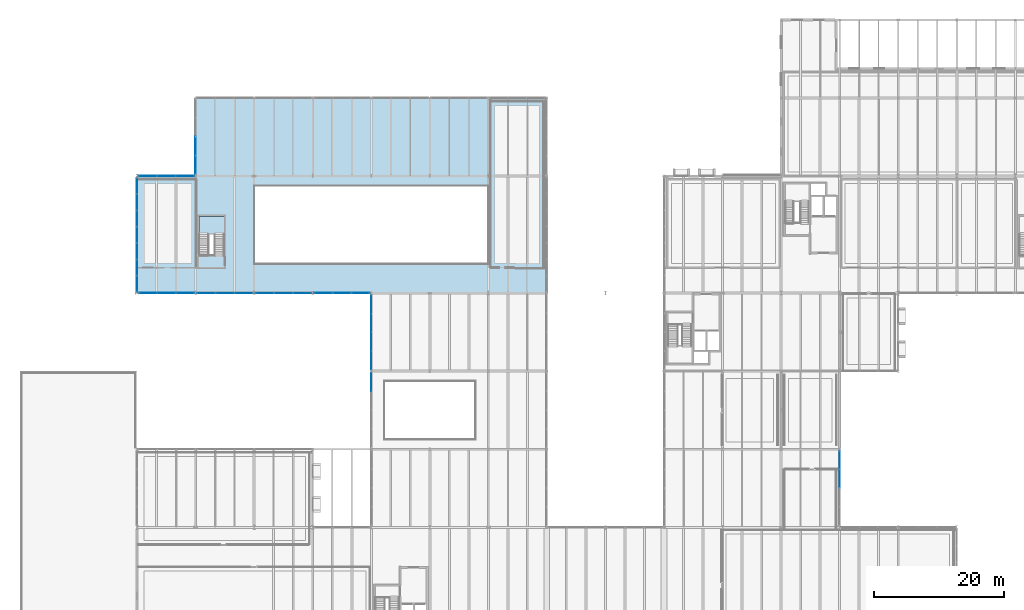
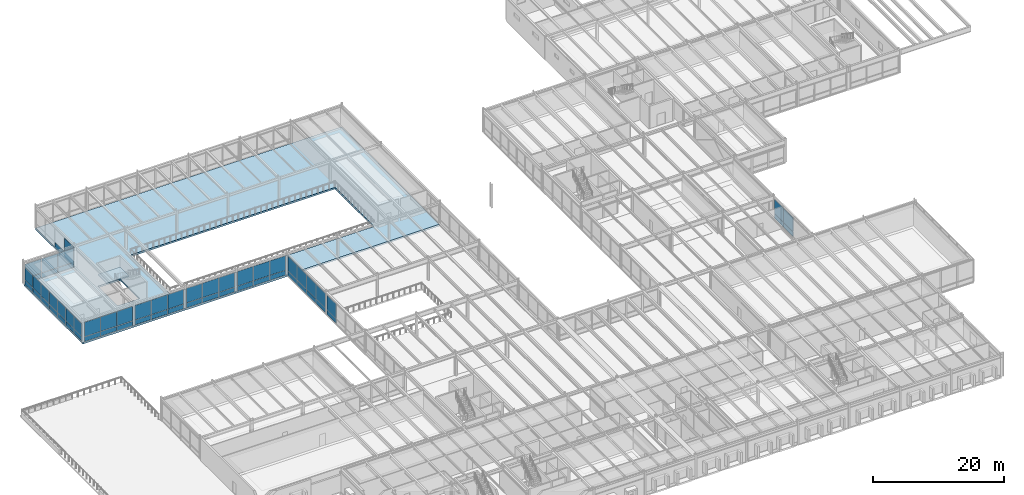
# One storey, part 98 of 127: 61 plates, 2 slabs, 11 elements without a shape of their own.
"""IFC4 building model written with IfcOpenShell, lengths in metres."""

from ifc_helpers import new_model, si_unit, direction, frame, origin, origin_2d, place, context, subcontext, project, spatial, polyline, rectangle, outline, extrude, material, layer, layer_set, type_object, element, aggregate, save


model = new_model("IFC4")

# Units and contexts
model_context = context("Model", 3, precision=1e-05, world=origin(), true_north=direction((0.0, 1.0)))
body_context = subcontext(model_context, "Body", "Model", "MODEL_VIEW")
ifc_project = project(units=[si_unit("LENGTHUNIT", "METRE"), si_unit("AREAUNIT", "SQUARE_METRE"), si_unit("VOLUMEUNIT", "CUBIC_METRE"), si_unit("PLANEANGLEUNIT", "RADIAN"), si_unit("MASSUNIT", "GRAM", prefix="KILO")], contexts=[model_context])

# Site, building, storey
site_placement = place(None, origin())
site = spatial("IfcSite", under=ifc_project, at=site_placement, CompositionType="ELEMENT")
building_placement = place(site_placement, origin())
building = spatial("IfcBuilding", under=site, at=building_placement, Name="Montelvaro Courts of Justice", CompositionType="ELEMENT")
storey_placement = place(building_placement, frame((0.0, 0.0, 5.39990234375)))
storey = spatial("IfcBuildingStorey", under=building, at=storey_placement, Name="L01", CompositionType="ELEMENT", Elevation=5.39990234375)

# Curtain wall, plates
ifc_material_1 = material(Name="Anodised aluminium EN AW-6063", Category="aluminium")
ifc_layer_1 = layer(ifc_material_1, 0.159912109375)
ifc_layer_set_1 = layer_set([ifc_layer_1], Name="Anodised aluminium EN AW-6063")
curtain_wall_type_1 = type_object("IfcCurtainWallType", Name="CurtainWall_14_867x418", PredefinedType="USERDEFINED", material=ifc_layer_set_1)
curtain_wall_1_placement = place(storey_placement, origin())
curtain_wall_1 = element("IfcCurtainWall", 1, at=curtain_wall_1_placement, inside=storey, type_object=curtain_wall_type_1, Name="Curtain Wall CW-14 (L01)", ObjectType="CURTAIN WALL", PredefinedType="USERDEFINED")
ifc_material_2 = material(Name="Acoustic laminated triple glazing", Category="glass")
ifc_layer_2 = layer(ifc_material_2, 0.035888671875)
ifc_layer_set_2 = layer_set([ifc_layer_2], Name="Acoustic laminated triple glazing")
plate_type_1 = type_object("IfcPlateType", Name="CurtainWall_Acoustic_Panel_36", PredefinedType="CURTAIN_PANEL", material=ifc_layer_set_2)
plate_1_placement = place(storey_placement, frame((28.626220703125, 78.0, 0.06005859375), z_axis=(0.0, 0.0, 1.0), x_axis=(1.0, 0.0, 0.0)))
plate_1 = element("IfcPlate", 2, at=plate_1_placement, type_object=plate_type_1, Name="CW-14 panel 1.1", PredefinedType="CURTAIN_PANEL", context=body_context, shape_type="SweptSolid", body=[
    extrude(rectangle(XDim=2.79248046875, YDim=0.035888671875, at=origin_2d()), origin(), (0.0, 0.0, 1.0), 0.860107421875),
])
plate_2_placement = place(storey_placement, frame((28.626220703125, 78.0, 0.97998046875), z_axis=(0.0, 0.0, 1.0), x_axis=(1.0, 0.0, 0.0)))
plate_2 = element("IfcPlate", 3, at=plate_2_placement, type_object=plate_type_1, Name="CW-14 panel 1.2", PredefinedType="CURTAIN_PANEL", context=body_context, shape_type="SweptSolid", body=[
    extrude(rectangle(XDim=2.79248046875, YDim=0.035888671875, at=origin_2d()), origin(), (0.0, 0.0, 1.0), 2.695068359375),
])
plate_3_placement = place(storey_placement, frame((31.5, 78.0, 0.06005859375), z_axis=(0.0, 0.0, 1.0), x_axis=(1.0, 0.0, 0.0)))
plate_3 = element("IfcPlate", 4, at=plate_3_placement, type_object=plate_type_1, Name="CW-14 panel 2.1", PredefinedType="CURTAIN_PANEL", context=body_context, shape_type="SweptSolid", body=[
    extrude(rectangle(XDim=2.824951171875, YDim=0.035888671875, at=origin_2d()), origin(), (0.0, 0.0, 1.0), 0.860107421875),
])
plate_4_placement = place(storey_placement, frame((31.5, 78.0, 0.97998046875), z_axis=(0.0, 0.0, 1.0), x_axis=(1.0, 0.0, 0.0)))
plate_4 = element("IfcPlate", 5, at=plate_4_placement, type_object=plate_type_1, Name="CW-14 panel 2.2", PredefinedType="CURTAIN_PANEL", context=body_context, shape_type="SweptSolid", body=[
    extrude(rectangle(XDim=2.824951171875, YDim=0.035888671875, at=origin_2d()), origin(), (0.0, 0.0, 1.0), 2.695068359375),
])
plate_5_placement = place(storey_placement, frame((34.373779296875, 78.0, 0.06005859375), z_axis=(0.0, 0.0, 1.0), x_axis=(1.0, 0.0, 0.0)))
plate_5 = element("IfcPlate", 6, at=plate_5_placement, type_object=plate_type_1, Name="CW-14 panel 3.1", PredefinedType="CURTAIN_PANEL", context=body_context, shape_type="SweptSolid", body=[
    extrude(rectangle(XDim=2.79248046875, YDim=0.035888671875, at=origin_2d()), origin(), (0.0, 0.0, 1.0), 0.860107421875),
])
plate_6_placement = place(storey_placement, frame((34.373779296875, 78.0, 0.97998046875), z_axis=(0.0, 0.0, 1.0), x_axis=(1.0, 0.0, 0.0)))
plate_6 = element("IfcPlate", 7, at=plate_6_placement, type_object=plate_type_1, Name="CW-14 panel 3.2", PredefinedType="CURTAIN_PANEL", context=body_context, shape_type="SweptSolid", body=[
    extrude(rectangle(XDim=2.79248046875, YDim=0.035888671875, at=origin_2d()), origin(), (0.0, 0.0, 1.0), 2.695068359375),
])
aggregate(curtain_wall_1, [plate_1, plate_2, plate_3, plate_4, plate_5, plate_6])

curtain_wall_2_placement = place(storey_placement, origin())
curtain_wall_2 = element("IfcCurtainWall", 8, at=curtain_wall_2_placement, inside=storey, type_object=curtain_wall_type_1, Name="Curtain Wall CW-14 (L01)", ObjectType="CURTAIN WALL", PredefinedType="USERDEFINED")
plate_7_placement = place(storey_placement, frame((37.628662109375, 78.0, 0.06005859375), z_axis=(0.0, 0.0, 1.0), x_axis=(1.0, 0.0, 0.0)))
plate_7 = element("IfcPlate", 9, at=plate_7_placement, type_object=plate_type_1, Name="CW-14 panel 1.1", PredefinedType="CURTAIN_PANEL", context=body_context, shape_type="SweptSolid", body=[
    extrude(rectangle(XDim=2.777587890625, YDim=0.035888671875, at=origin_2d()), origin(), (0.0, 0.0, 1.0), 0.860107421875),
])
plate_8_placement = place(storey_placement, frame((37.628662109375, 78.0, 0.97998046875), z_axis=(0.0, 0.0, 1.0), x_axis=(1.0, 0.0, 0.0)))
plate_8 = element("IfcPlate", 10, at=plate_8_placement, type_object=plate_type_1, Name="CW-14 panel 1.2", PredefinedType="CURTAIN_PANEL", context=body_context, shape_type="SweptSolid", body=[
    extrude(rectangle(XDim=2.777587890625, YDim=0.035888671875, at=origin_2d()), origin(), (0.0, 0.0, 1.0), 2.695068359375),
])
plate_9_placement = place(storey_placement, frame((40.5, 78.0, 0.06005859375), z_axis=(0.0, 0.0, 1.0), x_axis=(1.0, 0.0, 0.0)))
plate_9 = element("IfcPlate", 11, at=plate_9_placement, type_object=plate_type_1, Name="CW-14 panel 2.1", PredefinedType="CURTAIN_PANEL", context=body_context, shape_type="SweptSolid", body=[
    extrude(rectangle(XDim=2.81494140625, YDim=0.035888671875, at=origin_2d()), origin(), (0.0, 0.0, 1.0), 0.860107421875),
])
plate_10_placement = place(storey_placement, frame((40.5, 78.0, 0.97998046875), z_axis=(0.0, 0.0, 1.0), x_axis=(1.0, 0.0, 0.0)))
plate_10 = element("IfcPlate", 12, at=plate_10_placement, type_object=plate_type_1, Name="CW-14 panel 2.2", PredefinedType="CURTAIN_PANEL", context=body_context, shape_type="SweptSolid", body=[
    extrude(rectangle(XDim=2.81494140625, YDim=0.035888671875, at=origin_2d()), origin(), (0.0, 0.0, 1.0), 2.695068359375),
])
plate_11_placement = place(storey_placement, frame((43.371337890625, 78.0, 0.06005859375), z_axis=(0.0, 0.0, 1.0), x_axis=(1.0, 0.0, 0.0)))
plate_11 = element("IfcPlate", 13, at=plate_11_placement, type_object=plate_type_1, Name="CW-14 panel 3.1", PredefinedType="CURTAIN_PANEL", context=body_context, shape_type="SweptSolid", body=[
    extrude(rectangle(XDim=2.777587890625, YDim=0.035888671875, at=origin_2d()), origin(), (0.0, 0.0, 1.0), 0.860107421875),
])
plate_12_placement = place(storey_placement, frame((43.371337890625, 78.0, 0.97998046875), z_axis=(0.0, 0.0, 1.0), x_axis=(1.0, 0.0, 0.0)))
plate_12 = element("IfcPlate", 14, at=plate_12_placement, type_object=plate_type_1, Name="CW-14 panel 3.2", PredefinedType="CURTAIN_PANEL", context=body_context, shape_type="SweptSolid", body=[
    extrude(rectangle(XDim=2.777587890625, YDim=0.035888671875, at=origin_2d()), origin(), (0.0, 0.0, 1.0), 2.695068359375),
])
aggregate(curtain_wall_2, [plate_7, plate_8, plate_9, plate_10, plate_11, plate_12])

curtain_wall_3_placement = place(storey_placement, origin())
curtain_wall_3 = element("IfcCurtainWall", 15, at=curtain_wall_3_placement, inside=storey, type_object=curtain_wall_type_1, Name="Curtain Wall CW-14 (L01)", ObjectType="CURTAIN WALL", PredefinedType="USERDEFINED")
plate_13_placement = place(storey_placement, frame((25.373779296875, 96.0, 0.06005859375), z_axis=(0.0, 0.0, 1.0), x_axis=(-1.0, 0.0, 0.0)))
plate_13 = element("IfcPlate", 16, at=plate_13_placement, type_object=plate_type_1, Name="CW-14 panel 1.1", PredefinedType="CURTAIN_PANEL", context=body_context, shape_type="SweptSolid", body=[
    extrude(rectangle(XDim=2.79248046875, YDim=0.035888671875, at=origin_2d()), origin(), (0.0, 0.0, 1.0), 0.860107421875),
])
plate_14_placement = place(storey_placement, frame((25.373779296875, 96.0, 0.97998046875), z_axis=(0.0, 0.0, 1.0), x_axis=(-1.0, 0.0, 0.0)))
plate_14 = element("IfcPlate", 17, at=plate_14_placement, type_object=plate_type_1, Name="CW-14 panel 1.2", PredefinedType="CURTAIN_PANEL", context=body_context, shape_type="SweptSolid", body=[
    extrude(rectangle(XDim=2.79248046875, YDim=0.035888671875, at=origin_2d()), origin(), (0.0, 0.0, 1.0), 2.594970703125),
])
plate_15_placement = place(storey_placement, frame((22.5, 96.0, 0.06005859375), z_axis=(0.0, 0.0, 1.0), x_axis=(-1.0, 0.0, 0.0)))
plate_15 = element("IfcPlate", 18, at=plate_15_placement, type_object=plate_type_1, Name="CW-14 panel 2.1", PredefinedType="CURTAIN_PANEL", context=body_context, shape_type="SweptSolid", body=[
    extrude(rectangle(XDim=2.824951171875, YDim=0.035888671875, at=origin_2d()), origin(), (0.0, 0.0, 1.0), 0.860107421875),
])
plate_16_placement = place(storey_placement, frame((22.5, 96.0, 0.97998046875), z_axis=(0.0, 0.0, 1.0), x_axis=(-1.0, 0.0, 0.0)))
plate_16 = element("IfcPlate", 19, at=plate_16_placement, type_object=plate_type_1, Name="CW-14 panel 2.2", PredefinedType="CURTAIN_PANEL", context=body_context, shape_type="SweptSolid", body=[
    extrude(rectangle(XDim=2.824951171875, YDim=0.035888671875, at=origin_2d()), origin(), (0.0, 0.0, 1.0), 2.594970703125),
])
plate_17_placement = place(storey_placement, frame((19.626220703125, 96.0, 0.06005859375), z_axis=(0.0, 0.0, 1.0), x_axis=(-1.0, 0.0, 0.0)))
plate_17 = element("IfcPlate", 20, at=plate_17_placement, type_object=plate_type_1, Name="CW-14 panel 3.1", PredefinedType="CURTAIN_PANEL", context=body_context, shape_type="SweptSolid", body=[
    extrude(rectangle(XDim=2.79248046875, YDim=0.035888671875, at=origin_2d()), origin(), (0.0, 0.0, 1.0), 0.860107421875),
])
plate_18_placement = place(storey_placement, frame((19.626220703125, 96.0, 0.97998046875), z_axis=(0.0, 0.0, 1.0), x_axis=(-1.0, 0.0, 0.0)))
plate_18 = element("IfcPlate", 21, at=plate_18_placement, type_object=plate_type_1, Name="CW-14 panel 3.2", PredefinedType="CURTAIN_PANEL", context=body_context, shape_type="SweptSolid", body=[
    extrude(rectangle(XDim=2.79248046875, YDim=0.035888671875, at=origin_2d()), origin(), (0.0, 0.0, 1.0), 2.594970703125),
])
aggregate(curtain_wall_3, [plate_13, plate_14, plate_15, plate_16, plate_17, plate_18])

ifc_layer_3 = layer(ifc_material_1, 0.159912109375)
ifc_layer_set_3 = layer_set([ifc_layer_3], Name="Anodised aluminium EN AW-6063")
curtain_wall_type_2 = type_object("IfcCurtainWallType", Name="CurtainWall_20_1757x418", PredefinedType="USERDEFINED", material=ifc_layer_set_3)
curtain_wall_4_placement = place(storey_placement, origin())
curtain_wall_4 = element("IfcCurtainWall", 22, at=curtain_wall_4_placement, inside=storey, type_object=curtain_wall_type_2, Name="Curtain Wall CW-20 (L01)", ObjectType="CURTAIN WALL", PredefinedType="USERDEFINED")
plate_19_placement = place(storey_placement, frame((18.0, 94.461181640625, 0.0751953125), z_axis=(0.0, 0.0, 1.0), x_axis=(0.0, -1.0, 0.0)))
plate_19 = element("IfcPlate", 23, at=plate_19_placement, type_object=plate_type_1, Name="CW-20 panel 1.1", PredefinedType="CURTAIN_PANEL", context=body_context, shape_type="SweptSolid", body=[
    extrude(rectangle(XDim=2.3974609375, YDim=0.035888671875, at=origin_2d()), origin(), (0.0, 0.0, 1.0), 0.83740234375),
])
plate_20_placement = place(storey_placement, frame((18.0, 94.461181640625, 0.987548828125), z_axis=(0.0, 0.0, 1.0), x_axis=(0.0, -1.0, 0.0)))
plate_20 = element("IfcPlate", 24, at=plate_20_placement, type_object=plate_type_1, Name="CW-20 panel 1.2", PredefinedType="CURTAIN_PANEL", context=body_context, shape_type="SweptSolid", body=[
    extrude(rectangle(XDim=2.3974609375, YDim=0.035888671875, at=origin_2d()), origin(), (0.0, 0.0, 1.0), 2.3125),
])
plate_21_placement = place(storey_placement, frame((18.0, 91.969970703125, 0.0751953125), z_axis=(0.0, 0.0, 1.0), x_axis=(0.0, -1.0, 0.0)))
plate_21 = element("IfcPlate", 25, at=plate_21_placement, type_object=plate_type_1, Name="CW-20 panel 2.1", PredefinedType="CURTAIN_PANEL", context=body_context, shape_type="SweptSolid", body=[
    extrude(rectangle(XDim=2.43505859375, YDim=0.035888671875, at=origin_2d()), origin(), (0.0, 0.0, 1.0), 0.83740234375),
])
plate_22_placement = place(storey_placement, frame((18.0, 91.969970703125, 0.987548828125), z_axis=(0.0, 0.0, 1.0), x_axis=(0.0, -1.0, 0.0)))
plate_22 = element("IfcPlate", 26, at=plate_22_placement, type_object=plate_type_1, Name="CW-20 panel 2.2", PredefinedType="CURTAIN_PANEL", context=body_context, shape_type="SweptSolid", body=[
    extrude(rectangle(XDim=2.43505859375, YDim=0.035888671875, at=origin_2d()), origin(), (0.0, 0.0, 1.0), 2.3125),
])
plate_23_placement = place(storey_placement, frame((18.0, 89.4599609375, 0.0751953125), z_axis=(0.0, 0.0, 1.0), x_axis=(0.0, -1.0, 0.0)))
plate_23 = element("IfcPlate", 27, at=plate_23_placement, type_object=plate_type_1, Name="CW-20 panel 3.1", PredefinedType="CURTAIN_PANEL", context=body_context, shape_type="SweptSolid", body=[
    extrude(rectangle(XDim=2.43505859375, YDim=0.035888671875, at=origin_2d()), origin(), (0.0, 0.0, 1.0), 0.83740234375),
])
plate_24_placement = place(storey_placement, frame((18.0, 89.4599609375, 0.987548828125), z_axis=(0.0, 0.0, 1.0), x_axis=(0.0, -1.0, 0.0)))
plate_24 = element("IfcPlate", 28, at=plate_24_placement, type_object=plate_type_1, Name="CW-20 panel 3.2", PredefinedType="CURTAIN_PANEL", context=body_context, shape_type="SweptSolid", body=[
    extrude(rectangle(XDim=2.43505859375, YDim=0.035888671875, at=origin_2d()), origin(), (0.0, 0.0, 1.0), 2.3125),
])
plate_25_placement = place(storey_placement, frame((18.0, 86.949951171875, 0.0751953125), z_axis=(0.0, 0.0, 1.0), x_axis=(0.0, -1.0, 0.0)))
plate_25 = element("IfcPlate", 29, at=plate_25_placement, type_object=plate_type_1, Name="CW-20 panel 4.1", PredefinedType="CURTAIN_PANEL", context=body_context, shape_type="SweptSolid", body=[
    extrude(rectangle(XDim=2.43505859375, YDim=0.035888671875, at=origin_2d()), origin(), (0.0, 0.0, 1.0), 0.83740234375),
])
plate_26_placement = place(storey_placement, frame((18.0, 86.949951171875, 0.987548828125), z_axis=(0.0, 0.0, 1.0), x_axis=(0.0, -1.0, 0.0)))
plate_26 = element("IfcPlate", 30, at=plate_26_placement, type_object=plate_type_1, Name="CW-20 panel 4.2", PredefinedType="CURTAIN_PANEL", context=body_context, shape_type="SweptSolid", body=[
    extrude(rectangle(XDim=2.43505859375, YDim=0.035888671875, at=origin_2d()), origin(), (0.0, 0.0, 1.0), 2.3125),
])
plate_27_placement = place(storey_placement, frame((18.0, 84.43994140625, 0.0751953125), z_axis=(0.0, 0.0, 1.0), x_axis=(0.0, -1.0, 0.0)))
plate_27 = element("IfcPlate", 31, at=plate_27_placement, type_object=plate_type_1, Name="CW-20 panel 5.1", PredefinedType="CURTAIN_PANEL", context=body_context, shape_type="SweptSolid", body=[
    extrude(rectangle(XDim=2.43505859375, YDim=0.035888671875, at=origin_2d()), origin(), (0.0, 0.0, 1.0), 0.83740234375),
])
plate_28_placement = place(storey_placement, frame((18.0, 84.43994140625, 0.987548828125), z_axis=(0.0, 0.0, 1.0), x_axis=(0.0, -1.0, 0.0)))
plate_28 = element("IfcPlate", 32, at=plate_28_placement, type_object=plate_type_1, Name="CW-20 panel 5.2", PredefinedType="CURTAIN_PANEL", context=body_context, shape_type="SweptSolid", body=[
    extrude(rectangle(XDim=2.43505859375, YDim=0.035888671875, at=origin_2d()), origin(), (0.0, 0.0, 1.0), 2.3125),
])
plate_29_placement = place(storey_placement, frame((18.0, 81.929931640625, 0.0751953125), z_axis=(0.0, 0.0, 1.0), x_axis=(0.0, -1.0, 0.0)))
plate_29 = element("IfcPlate", 33, at=plate_29_placement, type_object=plate_type_1, Name="CW-20 panel 6.1", PredefinedType="CURTAIN_PANEL", context=body_context, shape_type="SweptSolid", body=[
    extrude(rectangle(XDim=2.43505859375, YDim=0.035888671875, at=origin_2d()), origin(), (0.0, 0.0, 1.0), 0.83740234375),
])
plate_30_placement = place(storey_placement, frame((18.0, 81.929931640625, 0.987548828125), z_axis=(0.0, 0.0, 1.0), x_axis=(0.0, -1.0, 0.0)))
plate_30 = element("IfcPlate", 34, at=plate_30_placement, type_object=plate_type_1, Name="CW-20 panel 6.2", PredefinedType="CURTAIN_PANEL", context=body_context, shape_type="SweptSolid", body=[
    extrude(rectangle(XDim=2.43505859375, YDim=0.035888671875, at=origin_2d()), origin(), (0.0, 0.0, 1.0), 2.3125),
])
plate_31_placement = place(storey_placement, frame((18.0, 79.438720703125, 0.0751953125), z_axis=(0.0, 0.0, 1.0), x_axis=(0.0, -1.0, 0.0)))
plate_31 = element("IfcPlate", 35, at=plate_31_placement, type_object=plate_type_1, Name="CW-20 panel 7.1", PredefinedType="CURTAIN_PANEL", context=body_context, shape_type="SweptSolid", body=[
    extrude(rectangle(XDim=2.3974609375, YDim=0.035888671875, at=origin_2d()), origin(), (0.0, 0.0, 1.0), 0.83740234375),
])
plate_32_placement = place(storey_placement, frame((18.0, 79.438720703125, 0.987548828125), z_axis=(0.0, 0.0, 1.0), x_axis=(0.0, -1.0, 0.0)))
plate_32 = element("IfcPlate", 36, at=plate_32_placement, type_object=plate_type_1, Name="CW-20 panel 7.2", PredefinedType="CURTAIN_PANEL", context=body_context, shape_type="SweptSolid", body=[
    extrude(rectangle(XDim=2.3974609375, YDim=0.035888671875, at=origin_2d()), origin(), (0.0, 0.0, 1.0), 2.3125),
])
aggregate(curtain_wall_4, [plate_19, plate_20, plate_21, plate_22, plate_23, plate_24, plate_25, plate_26, plate_27, plate_28, plate_29, plate_30, plate_31, plate_32])

ifc_layer_4 = layer(ifc_material_1, 0.159912109375)
ifc_layer_set_4 = layer_set([ifc_layer_4], Name="Anodised aluminium EN AW-6063")
curtain_wall_type_3 = type_object("IfcCurtainWallType", Name="CurtainWall_19_1159x418", PredefinedType="USERDEFINED", material=ifc_layer_set_4)
curtain_wall_5_placement = place(storey_placement, origin())
curtain_wall_5 = element("IfcCurtainWall", 37, at=curtain_wall_5_placement, inside=storey, type_object=curtain_wall_type_3, Name="Curtain Wall CW-19 (L01)", ObjectType="CURTAIN WALL", PredefinedType="USERDEFINED")
plate_33_placement = place(storey_placement, frame((54.0, 76.29443359375, 0.0751953125), z_axis=(0.0, 0.0, 1.0), x_axis=(0.0, -1.0, 0.0)))
plate_33 = element("IfcPlate", 38, at=plate_33_placement, type_object=plate_type_1, Name="CW-19 panel 1.1", PredefinedType="CURTAIN_PANEL", context=body_context, shape_type="SweptSolid", body=[
    extrude(rectangle(XDim=2.811279296875, YDim=0.035888671875, at=origin_2d()), origin(), (0.0, 0.0, 1.0), 0.83740234375),
])
plate_34_placement = place(storey_placement, frame((54.0, 76.29443359375, 0.987548828125), z_axis=(0.0, 0.0, 1.0), x_axis=(0.0, -1.0, 0.0)))
plate_34 = element("IfcPlate", 39, at=plate_34_placement, type_object=plate_type_1, Name="CW-19 panel 1.2", PredefinedType="CURTAIN_PANEL", context=body_context, shape_type="SweptSolid", body=[
    extrude(rectangle(XDim=2.811279296875, YDim=0.035888671875, at=origin_2d()), origin(), (0.0, 0.0, 1.0), 2.71240234375),
])
plate_35_placement = place(storey_placement, frame((54.0, 73.408203125, 0.0751953125), z_axis=(0.0, 0.0, 1.0), x_axis=(0.0, -1.0, 0.0)))
plate_35 = element("IfcPlate", 40, at=plate_35_placement, type_object=plate_type_1, Name="CW-19 panel 2.1", PredefinedType="CURTAIN_PANEL", context=body_context, shape_type="SweptSolid", body=[
    extrude(rectangle(XDim=2.84130859375, YDim=0.035888671875, at=origin_2d()), origin(), (0.0, 0.0, 1.0), 0.83740234375),
])
plate_36_placement = place(storey_placement, frame((54.0, 73.408203125, 0.987548828125), z_axis=(0.0, 0.0, 1.0), x_axis=(0.0, -1.0, 0.0)))
plate_36 = element("IfcPlate", 41, at=plate_36_placement, type_object=plate_type_1, Name="CW-19 panel 2.2", PredefinedType="CURTAIN_PANEL", context=body_context, shape_type="SweptSolid", body=[
    extrude(rectangle(XDim=2.84130859375, YDim=0.035888671875, at=origin_2d()), origin(), (0.0, 0.0, 1.0), 2.71240234375),
])
plate_37_placement = place(storey_placement, frame((54.0, 70.5068359375, 0.0751953125), z_axis=(0.0, 0.0, 1.0), x_axis=(0.0, -1.0, 0.0)))
plate_37 = element("IfcPlate", 42, at=plate_37_placement, type_object=plate_type_1, Name="CW-19 panel 3.1", PredefinedType="CURTAIN_PANEL", context=body_context, shape_type="SweptSolid", body=[
    extrude(rectangle(XDim=2.84130859375, YDim=0.035888671875, at=origin_2d()), origin(), (0.0, 0.0, 1.0), 0.83740234375),
])
plate_38_placement = place(storey_placement, frame((54.0, 70.5068359375, 0.987548828125), z_axis=(0.0, 0.0, 1.0), x_axis=(0.0, -1.0, 0.0)))
plate_38 = element("IfcPlate", 43, at=plate_38_placement, type_object=plate_type_1, Name="CW-19 panel 3.2", PredefinedType="CURTAIN_PANEL", context=body_context, shape_type="SweptSolid", body=[
    extrude(rectangle(XDim=2.84130859375, YDim=0.035888671875, at=origin_2d()), origin(), (0.0, 0.0, 1.0), 2.71240234375),
])
plate_39_placement = place(storey_placement, frame((54.0, 67.62060546875, 0.0751953125), z_axis=(0.0, 0.0, 1.0), x_axis=(0.0, -1.0, 0.0)))
plate_39 = element("IfcPlate", 44, at=plate_39_placement, type_object=plate_type_1, Name="CW-19 panel 4.1", PredefinedType="CURTAIN_PANEL", context=body_context, shape_type="SweptSolid", body=[
    extrude(rectangle(XDim=2.811279296875, YDim=0.035888671875, at=origin_2d()), origin(), (0.0, 0.0, 1.0), 0.83740234375),
])
plate_40_placement = place(storey_placement, frame((54.0, 67.62060546875, 0.987548828125), z_axis=(0.0, 0.0, 1.0), x_axis=(0.0, -1.0, 0.0)))
plate_40 = element("IfcPlate", 45, at=plate_40_placement, type_object=plate_type_1, Name="CW-19 panel 4.2", PredefinedType="CURTAIN_PANEL", context=body_context, shape_type="SweptSolid", body=[
    extrude(rectangle(XDim=2.811279296875, YDim=0.035888671875, at=origin_2d()), origin(), (0.0, 0.0, 1.0), 2.71240234375),
])
aggregate(curtain_wall_5, [plate_33, plate_34, plate_35, plate_36, plate_37, plate_38, plate_39, plate_40])

ifc_layer_5 = layer(ifc_material_1, 0.159912109375)
ifc_layer_set_5 = layer_set([ifc_layer_5], Name="Anodised aluminium EN AW-6063")
curtain_wall_type_4 = type_object("IfcCurtainWallType", Name="CurtainWall_13_857x418", PredefinedType="USERDEFINED", material=ifc_layer_set_5)
curtain_wall_6_placement = place(storey_placement, origin())
curtain_wall_6 = element("IfcCurtainWall", 46, at=curtain_wall_6_placement, inside=storey, type_object=curtain_wall_type_4, Name="Curtain Wall CW-13 (L01)", ObjectType="CURTAIN WALL", PredefinedType="USERDEFINED")
ifc_material_3 = material(Name="Insulated spandrel glazing", Category="glass")
ifc_layer_6 = layer(ifc_material_3, 0.048095703125)
ifc_layer_set_6 = layer_set([ifc_layer_6], Name="Insulated spandrel glazing")
plate_type_2 = type_object("IfcPlateType", Name="CurtainWall_Spandrel_Panel_48", PredefinedType="CURTAIN_PANEL", material=ifc_layer_set_6)
plate_41_placement = place(storey_placement, frame((19.708251953125, 78.0, 0.0751953125), z_axis=(0.0, 0.0, 1.0), x_axis=(1.0, 0.0, 0.0)))
plate_41 = element("IfcPlate", 47, at=plate_41_placement, type_object=plate_type_2, Name="CW-13 panel 1.1", PredefinedType="CURTAIN_PANEL", context=body_context, shape_type="SweptSolid", body=[
    extrude(rectangle(XDim=2.7666015625, YDim=0.048095703125, at=origin_2d()), origin(), (0.0, 0.0, 1.0), 0.83740234375),
])
plate_42_placement = place(storey_placement, frame((19.708251953125, 78.0, 0.9873046875), z_axis=(0.0, 0.0, 1.0), x_axis=(1.0, 0.0, 0.0)))
plate_42 = element("IfcPlate", 48, at=plate_42_placement, type_object=plate_type_2, Name="CW-13 panel 1.2", PredefinedType="CURTAIN_PANEL", context=body_context, shape_type="SweptSolid", body=[
    extrude(rectangle(XDim=2.7666015625, YDim=0.048095703125, at=origin_2d()), origin(), (0.0, 0.0, 1.0), 2.672607421875),
])
plate_43_placement = place(storey_placement, frame((22.550048828125, 78.0, 0.0751953125), z_axis=(0.0, 0.0, 1.0), x_axis=(1.0, 0.0, 0.0)))
plate_43 = element("IfcPlate", 49, at=plate_43_placement, type_object=plate_type_2, Name="CW-13 panel 2.1", PredefinedType="CURTAIN_PANEL", context=body_context, shape_type="SweptSolid", body=[
    extrude(rectangle(XDim=2.796630859375, YDim=0.048095703125, at=origin_2d()), origin(), (0.0, 0.0, 1.0), 0.83740234375),
])
plate_44_placement = place(storey_placement, frame((22.550048828125, 78.0, 0.9873046875), z_axis=(0.0, 0.0, 1.0), x_axis=(1.0, 0.0, 0.0)))
plate_44 = element("IfcPlate", 50, at=plate_44_placement, type_object=plate_type_2, Name="CW-13 panel 2.2", PredefinedType="CURTAIN_PANEL", context=body_context, shape_type="SweptSolid", body=[
    extrude(rectangle(XDim=2.796630859375, YDim=0.048095703125, at=origin_2d()), origin(), (0.0, 0.0, 1.0), 2.672607421875),
])
plate_45_placement = place(storey_placement, frame((25.3916015625, 78.0, 0.0751953125), z_axis=(0.0, 0.0, 1.0), x_axis=(1.0, 0.0, 0.0)))
plate_45 = element("IfcPlate", 51, at=plate_45_placement, type_object=plate_type_2, Name="CW-13 panel 3.1", PredefinedType="CURTAIN_PANEL", context=body_context, shape_type="SweptSolid", body=[
    extrude(rectangle(XDim=2.7666015625, YDim=0.048095703125, at=origin_2d()), origin(), (0.0, 0.0, 1.0), 0.83740234375),
])
plate_46_placement = place(storey_placement, frame((25.3916015625, 78.0, 0.9873046875), z_axis=(0.0, 0.0, 1.0), x_axis=(1.0, 0.0, 0.0)))
plate_46 = element("IfcPlate", 52, at=plate_46_placement, type_object=plate_type_2, Name="CW-13 panel 3.2", PredefinedType="CURTAIN_PANEL", context=body_context, shape_type="SweptSolid", body=[
    extrude(rectangle(XDim=2.7666015625, YDim=0.048095703125, at=origin_2d()), origin(), (0.0, 0.0, 1.0), 2.672607421875),
])
aggregate(curtain_wall_6, [plate_41, plate_42, plate_43, plate_44, plate_45, plate_46])

curtain_wall_7_placement = place(storey_placement, origin())
curtain_wall_7 = element("IfcCurtainWall", 53, at=curtain_wall_7_placement, inside=storey, type_object=curtain_wall_type_1, Name="Curtain Wall CW-14 (L01)", ObjectType="CURTAIN WALL", PredefinedType="USERDEFINED")
plate_47_placement = place(storey_placement, frame((46.628662109375, 78.0, 0.06005859375), z_axis=(0.0, 0.0, 1.0), x_axis=(1.0, 0.0, 0.0)))
plate_47 = element("IfcPlate", 54, at=plate_47_placement, type_object=plate_type_2, Name="CW-14 panel 1.1", PredefinedType="CURTAIN_PANEL", context=body_context, shape_type="SweptSolid", body=[
    extrude(rectangle(XDim=2.777587890625, YDim=0.048095703125, at=origin_2d()), origin(), (0.0, 0.0, 1.0), 0.860107421875),
])
plate_48_placement = place(storey_placement, frame((46.628662109375, 78.0, 0.97998046875), z_axis=(0.0, 0.0, 1.0), x_axis=(1.0, 0.0, 0.0)))
plate_48 = element("IfcPlate", 55, at=plate_48_placement, type_object=plate_type_2, Name="CW-14 panel 1.2", PredefinedType="CURTAIN_PANEL", context=body_context, shape_type="SweptSolid", body=[
    extrude(rectangle(XDim=2.777587890625, YDim=0.048095703125, at=origin_2d()), origin(), (0.0, 0.0, 1.0), 2.695068359375),
])
plate_49_placement = place(storey_placement, frame((49.5, 78.0, 0.06005859375), z_axis=(0.0, 0.0, 1.0), x_axis=(1.0, 0.0, 0.0)))
plate_49 = element("IfcPlate", 56, at=plate_49_placement, type_object=plate_type_2, Name="CW-14 panel 2.1", PredefinedType="CURTAIN_PANEL", context=body_context, shape_type="SweptSolid", body=[
    extrude(rectangle(XDim=2.81494140625, YDim=0.048095703125, at=origin_2d()), origin(), (0.0, 0.0, 1.0), 0.860107421875),
])
plate_50_placement = place(storey_placement, frame((49.5, 78.0, 0.97998046875), z_axis=(0.0, 0.0, 1.0), x_axis=(1.0, 0.0, 0.0)))
plate_50 = element("IfcPlate", 57, at=plate_50_placement, type_object=plate_type_2, Name="CW-14 panel 2.2", PredefinedType="CURTAIN_PANEL", context=body_context, shape_type="SweptSolid", body=[
    extrude(rectangle(XDim=2.81494140625, YDim=0.048095703125, at=origin_2d()), origin(), (0.0, 0.0, 1.0), 2.695068359375),
])
plate_51_placement = place(storey_placement, frame((52.371337890625, 78.0, 0.06005859375), z_axis=(0.0, 0.0, 1.0), x_axis=(1.0, 0.0, 0.0)))
plate_51 = element("IfcPlate", 58, at=plate_51_placement, type_object=plate_type_2, Name="CW-14 panel 3.1", PredefinedType="CURTAIN_PANEL", context=body_context, shape_type="SweptSolid", body=[
    extrude(rectangle(XDim=2.777587890625, YDim=0.048095703125, at=origin_2d()), origin(), (0.0, 0.0, 1.0), 0.860107421875),
])
plate_52_placement = place(storey_placement, frame((52.371337890625, 78.0, 0.97998046875), z_axis=(0.0, 0.0, 1.0), x_axis=(1.0, 0.0, 0.0)))
plate_52 = element("IfcPlate", 59, at=plate_52_placement, type_object=plate_type_2, Name="CW-14 panel 3.2", PredefinedType="CURTAIN_PANEL", context=body_context, shape_type="SweptSolid", body=[
    extrude(rectangle(XDim=2.777587890625, YDim=0.048095703125, at=origin_2d()), origin(), (0.0, 0.0, 1.0), 2.695068359375),
])
aggregate(curtain_wall_7, [plate_47, plate_48, plate_49, plate_50, plate_51, plate_52])

curtain_wall_8_placement = place(storey_placement, origin())
curtain_wall_8 = element("IfcCurtainWall", 60, at=curtain_wall_8_placement, inside=storey, type_object=curtain_wall_type_3, Name="Curtain Wall CW-19 (L01)", ObjectType="CURTAIN WALL", PredefinedType="USERDEFINED")
plate_53_placement = place(storey_placement, frame((27.0, 100.611328125, 0.06005859375), z_axis=(0.0, 0.0, 1.0), x_axis=(0.0, -1.0, 0.0)))
plate_53 = element("IfcPlate", 61, at=plate_53_placement, type_object=plate_type_2, Name="CW-19 panel 3.1", PredefinedType="CURTAIN_PANEL", context=body_context, shape_type="SweptSolid", body=[
    extrude(rectangle(XDim=2.83740234375, YDim=0.048095703125, at=origin_2d()), origin(), (0.0, 0.0, 1.0), 0.860107421875),
])
plate_54_placement = place(storey_placement, frame((27.0, 97.728759765625, 0.06005859375), z_axis=(0.0, 0.0, 1.0), x_axis=(0.0, -1.0, 0.0)))
plate_54 = element("IfcPlate", 62, at=plate_54_placement, type_object=plate_type_2, Name="CW-19 panel 4.1", PredefinedType="CURTAIN_PANEL", context=body_context, shape_type="SweptSolid", body=[
    extrude(rectangle(XDim=2.8076171875, YDim=0.048095703125, at=origin_2d()), origin(), (0.0, 0.0, 1.0), 0.860107421875),
])
plate_55_placement = place(storey_placement, frame((27.0, 97.728759765625, 0.97998046875), z_axis=(0.0, 0.0, 1.0), x_axis=(0.0, -1.0, 0.0)))
plate_55 = element("IfcPlate", 63, at=plate_55_placement, type_object=plate_type_2, Name="CW-19 panel 4.2", PredefinedType="CURTAIN_PANEL", context=body_context, shape_type="SweptSolid", body=[
    extrude(rectangle(XDim=2.8076171875, YDim=0.048095703125, at=origin_2d()), origin(), (0.0, 0.0, 1.0), 2.534912109375),
])
aggregate(curtain_wall_8, [plate_53, plate_54, plate_55])

ifc_layer_7 = layer(ifc_material_1, 0.159912109375)
ifc_layer_set_7 = layer_set([ifc_layer_7], Name="Anodised aluminium EN AW-6063")
curtain_wall_type_5 = type_object("IfcCurtainWallType", Name="CurtainWall_24_1169x418", PredefinedType="USERDEFINED", material=ifc_layer_set_7)
curtain_wall_9_placement = place(storey_placement, origin())
curtain_wall_9 = element("IfcCurtainWall", 64, at=curtain_wall_9_placement, inside=storey, type_object=curtain_wall_type_5, Name="Curtain Wall CW-24 (L01)", ObjectType="CURTAIN WALL", PredefinedType="USERDEFINED")
plate_56_placement = place(storey_placement, frame((54.0, 64.36865234375, 0.0751953125), z_axis=(0.0, 0.0, 1.0), x_axis=(0.0, -1.0, 0.0)))
plate_56 = element("IfcPlate", 65, at=plate_56_placement, type_object=plate_type_2, Name="CW-24 panel 1.1", PredefinedType="CURTAIN_PANEL", context=body_context, shape_type="SweptSolid", body=[
    extrude(rectangle(XDim=2.83251953125, YDim=0.048095703125, at=origin_2d()), origin(), (0.0, 0.0, 1.0), 0.83740234375),
])
plate_57_placement = place(storey_placement, frame((54.0, 64.36865234375, 0.987548828125), z_axis=(0.0, 0.0, 1.0), x_axis=(0.0, -1.0, 0.0)))
plate_57 = element("IfcPlate", 66, at=plate_57_placement, type_object=plate_type_2, Name="CW-24 panel 1.2", PredefinedType="CURTAIN_PANEL", context=body_context, shape_type="SweptSolid", body=[
    extrude(rectangle(XDim=2.83251953125, YDim=0.048095703125, at=origin_2d()), origin(), (0.0, 0.0, 1.0), 2.71240234375),
])
aggregate(curtain_wall_9, [plate_56, plate_57])

ifc_layer_8 = layer(ifc_material_1, 0.159912109375)
ifc_layer_set_8 = layer_set([ifc_layer_8], Name="Anodised aluminium EN AW-6063")
curtain_wall_type_6 = type_object("IfcCurtainWallType", Name="CurtainWall_23_1154x418", PredefinedType="USERDEFINED", material=ifc_layer_set_8)
curtain_wall_10_placement = place(storey_placement, origin())
curtain_wall_10 = element("IfcCurtainWall", 67, at=curtain_wall_10_placement, inside=storey, type_object=curtain_wall_type_6, Name="Curtain Wall CW-23 (L01)", ObjectType="CURTAIN WALL", PredefinedType="USERDEFINED")
plate_58_placement = place(storey_placement, frame((126.0, 49.496337890625, 0.06005859375), z_axis=(0.0, 0.0, 1.0), x_axis=(0.0, 1.0, 0.0)))
plate_58 = element("IfcPlate", 68, at=plate_58_placement, type_object=plate_type_2, Name="CW-23 panel 3.1", PredefinedType="CURTAIN_PANEL", context=body_context, shape_type="SweptSolid", body=[
    extrude(rectangle(XDim=2.83251953125, YDim=0.048095703125, at=origin_2d()), origin(), (0.0, 0.0, 1.0), 0.860107421875),
])
plate_59_placement = place(storey_placement, frame((126.0, 49.496337890625, 0.97998046875), z_axis=(0.0, 0.0, 1.0), x_axis=(0.0, 1.0, 0.0)))
plate_59 = element("IfcPlate", 69, at=plate_59_placement, type_object=plate_type_2, Name="CW-23 panel 3.2", PredefinedType="CURTAIN_PANEL", context=body_context, shape_type="SweptSolid", body=[
    extrude(rectangle(XDim=2.83251953125, YDim=0.048095703125, at=origin_2d()), origin(), (0.0, 0.0, 1.0), 2.625),
])
plate_60_placement = place(storey_placement, frame((126.0, 52.373779296875, 0.06005859375), z_axis=(0.0, 0.0, 1.0), x_axis=(0.0, 1.0, 0.0)))
plate_60 = element("IfcPlate", 70, at=plate_60_placement, type_object=plate_type_2, Name="CW-23 panel 4.1", PredefinedType="CURTAIN_PANEL", context=body_context, shape_type="SweptSolid", body=[
    extrude(rectangle(XDim=2.802490234375, YDim=0.048095703125, at=origin_2d()), origin(), (0.0, 0.0, 1.0), 0.860107421875),
])
plate_61_placement = place(storey_placement, frame((126.0, 52.373779296875, 0.97998046875), z_axis=(0.0, 0.0, 1.0), x_axis=(0.0, 1.0, 0.0)))
plate_61 = element("IfcPlate", 71, at=plate_61_placement, type_object=plate_type_2, Name="CW-23 panel 4.2", PredefinedType="CURTAIN_PANEL", context=body_context, shape_type="SweptSolid", body=[
    extrude(rectangle(XDim=2.802490234375, YDim=0.048095703125, at=origin_2d()), origin(), (0.0, 0.0, 1.0), 2.625),
])
aggregate(curtain_wall_10, [plate_58, plate_59, plate_60, plate_61])

# Slab
ifc_material_4 = material(Name="Concrete C35/45", Category="concrete")
ifc_layer_9 = layer(ifc_material_4, 0.320068359375)
ifc_layer_set_9 = layer_set([ifc_layer_9], Name="Concrete C35/45")
slab_type_1 = type_object("IfcSlabType", Name="FloorSlab_320", PredefinedType="FLOOR", material=ifc_layer_set_9)
slab_1_placement = place(storey_placement, frame((0.0, 0.0, -0.31982421875)))
element("IfcSlab", 72, at=slab_1_placement, inside=storey, type_object=slab_type_1, Name="Structural Slab SF-01 L01", PredefinedType="FLOOR", context=body_context, shape_type="SweptSolid", body=[
    extrude(outline(polyline([(18.0, 78.0), (80.949951171875, 78.0), (80.949951171875, 108.0), (27.0, 108.0), (27.0, 96.0), (18.0, 96.0), (18.0, 78.0)]), holes=[polyline([(27.5, 83.800048828125), (31.39990234375, 83.800048828125), (31.39990234375, 89.800048828125), (27.5, 89.800048828125), (27.5, 83.800048828125)]), polyline([(36.0, 82.5), (72.0, 82.5), (72.0, 94.5), (36.0, 94.5), (36.0, 82.5)])]), origin(), (0.0, 0.0, 1.0), 0.31982421875),
])

# Stair, slab
stair_type = type_object("IfcStairType", Name="ProtectedStair_150", PredefinedType="HALF_TURN_STAIR", material=ifc_material_4)
stair_placement = place(storey_placement, origin())
stair = element("IfcStair", 73, at=stair_placement, inside=storey, type_object=stair_type, Name="Protected Stair ST-P1-L01", PredefinedType="HALF_TURN_STAIR")
ifc_layer_10 = layer(ifc_material_4, 0.199951171875)
ifc_layer_set_10 = layer_set([ifc_layer_10], Name="Concrete C35/45")
slab_type_2 = type_object("IfcSlabType", Name="StairLanding_200", PredefinedType="LANDING", material=ifc_layer_set_10)
slab_2_placement = place(storey_placement, frame((0.0, 0.0, 2.050048828125)))
slab_2 = element("IfcSlab", 74, at=slab_2_placement, type_object=slab_type_2, Name="ST-P1-L01 landing 1", PredefinedType="LANDING", context=body_context, shape_type="SweptSolid", body=[
    extrude(outline(polyline([(27.5, 87.06494140625), (31.39990234375, 87.06494140625), (31.39990234375, 89.800048828125), (27.5, 89.800048828125), (27.5, 87.06494140625)])), origin(), (0.0, 0.0, 1.0), 0.199951171875),
])
aggregate(stair, [slab_2])

save(model, "model.ifc")
